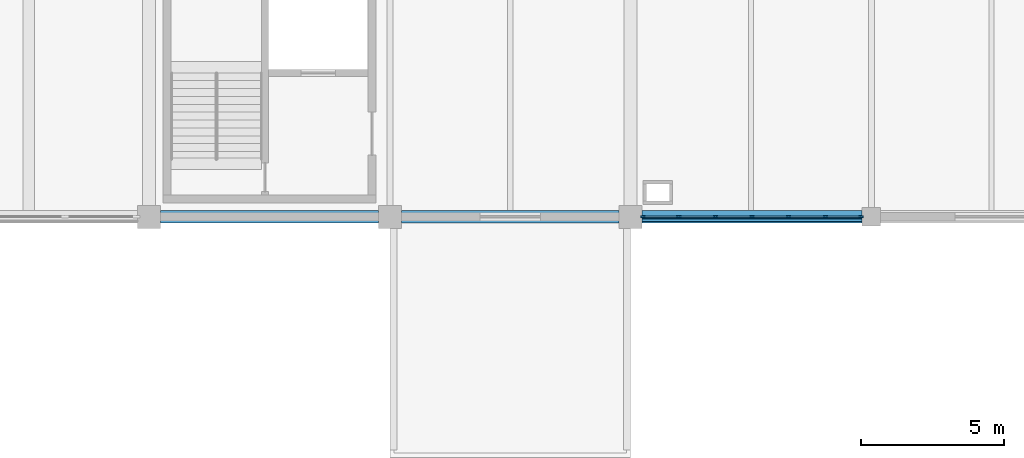
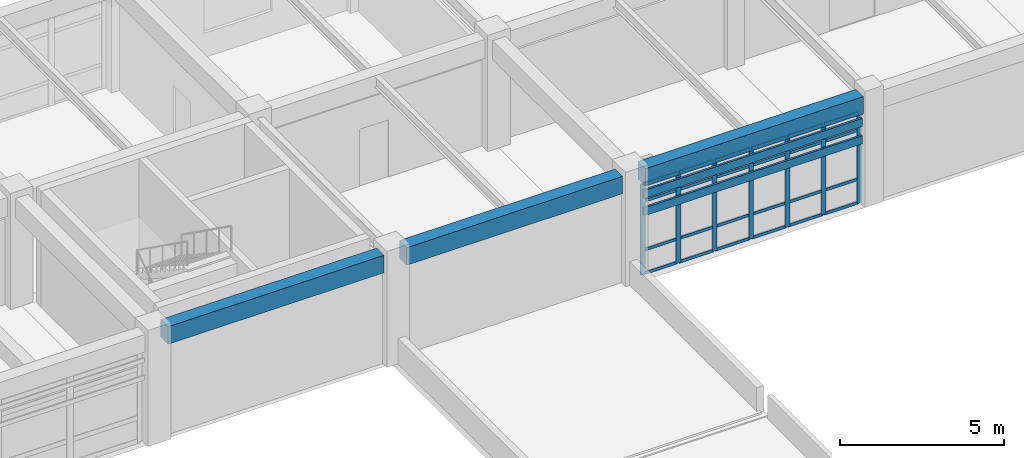
# One storey, part 36 of 74: 33 members, 3 beams, 1 element without a shape of its own.
"""IFC4 building model written with IfcOpenShell, lengths in metres."""

from ifc_helpers import new_model, si_unit, direction, frame, origin, origin_2d, place, context, subcontext, project, spatial, rectangle, extrude, material, layer, layer_set, material_profile, profile_set, type_object, element, aggregate, save


model = new_model("IFC4")

# Units and contexts
model_context = context("Model", 3, precision=1e-05, world=origin(), true_north=direction((0.0, 1.0)))
body_context = subcontext(model_context, "Body", "Model", "MODEL_VIEW")
ifc_project = project(units=[si_unit("LENGTHUNIT", "METRE"), si_unit("AREAUNIT", "SQUARE_METRE"), si_unit("VOLUMEUNIT", "CUBIC_METRE"), si_unit("PLANEANGLEUNIT", "RADIAN"), si_unit("MASSUNIT", "GRAM", prefix="KILO")], contexts=[model_context])

# Site, building, storey
site_placement = place(None, origin())
site = spatial("IfcSite", under=ifc_project, at=site_placement, CompositionType="ELEMENT")
building_placement = place(site_placement, origin())
building = spatial("IfcBuilding", under=site, at=building_placement, Name="Porcellanite Civic Hall", CompositionType="ELEMENT")
storey_placement = place(building_placement, frame((0.0, 0.0, 14.760009765625)))
storey = spatial("IfcBuildingStorey", under=building, at=storey_placement, Name="L03", CompositionType="ELEMENT", Elevation=14.760009765625)

# Beams
ifc_material_1 = material(Name="Concrete N50 (50 MPa)", Category="concrete")
ifc_material_profile_1 = material_profile(ifc_material_1, rectangle(XDim=0.449951171875, YDim=0.64990234375, at=origin_2d()), Name="RC-450x650")
ifc_profile_set_1 = profile_set([ifc_material_profile_1], Name="Concrete N50 (50 MPa)")
beam_type = type_object("IfcBeamType", Name="BM-RC650", PredefinedType="SPANDREL", material=ifc_profile_set_1)
beam_1_placement = place(storey_placement, frame((109.599609375, 100.800048828125, 3.744873046875), z_axis=(1.0, 0.0, 0.0), x_axis=(0.0, 1.0, 0.0)))
element("IfcBeam", 1, at=beam_1_placement, inside=storey, type_object=beam_type, Name="Beam X L03 14-13", PredefinedType="SPANDREL", context=body_context, shape_type="SweptSolid", body=[
    extrude(rectangle(XDim=0.449951171875, YDim=0.64990234375, at=origin_2d()), origin(), (0.0, 0.0, 1.0), 7.600830078125),
])
beam_2_placement = place(storey_placement, frame((117.99951171875, 100.800048828125, 3.744873046875), z_axis=(1.0, 0.0, 0.0), x_axis=(0.0, 1.0, 0.0)))
element("IfcBeam", 2, at=beam_2_placement, inside=storey, type_object=beam_type, Name="Beam X L03 15-13", PredefinedType="SPANDREL", context=body_context, shape_type="SweptSolid", body=[
    extrude(rectangle(XDim=0.449951171875, YDim=0.64990234375, at=origin_2d()), origin(), (0.0, 0.0, 1.0), 7.60107421875),
])
beam_3_placement = place(storey_placement, frame((126.3994140625, 100.800048828125, 3.744873046875), z_axis=(1.0, 0.0, 0.0), x_axis=(0.0, 1.0, 0.0)))
element("IfcBeam", 3, at=beam_3_placement, inside=storey, type_object=beam_type, Name="Beam X L03 16-13", PredefinedType="SPANDREL", context=body_context, shape_type="SweptSolid", body=[
    extrude(rectangle(XDim=0.449951171875, YDim=0.64990234375, at=origin_2d()), origin(), (0.0, 0.0, 1.0), 7.676025390625),
])

# Curtain wall, members
ifc_material_2 = material(Name="Anodised aluminium and solar laminated glass", Category="aluminium")
ifc_layer = layer(ifc_material_2, 0.179931640625)
ifc_layer_set = layer_set([ifc_layer], Name="Anodised aluminium and solar laminated glass")
curtain_wall_type = type_object("IfcCurtainWallType", Name="CW-SYS07", PredefinedType="NOTDEFINED", material=ifc_layer_set)
curtain_wall_placement = place(storey_placement, origin())
curtain_wall = element("IfcCurtainWall", 4, at=curtain_wall_placement, inside=storey, type_object=curtain_wall_type, Name="Curtain wall CW-219", PredefinedType="NOTDEFINED")
ifc_material_3 = material(Name="Anodised aluminium 6063-T6", Category="aluminium")
ifc_material_profile_2 = material_profile(ifc_material_3, rectangle(XDim=0.06005859375, YDim=0.159912109375, at=origin_2d()), Name="AL-60x160")
ifc_profile_set_2 = profile_set([ifc_material_profile_2], Name="Anodised aluminium 6063-T6")
member_type_1 = type_object("IfcMemberType", Name="CWM-07", PredefinedType="MULLION", material=ifc_profile_set_2)
member_1_placement = place(storey_placement, frame((134.0439453125, 100.800048828125, 0.0), z_axis=(0.0, 0.0, 1.0), x_axis=(0.0, -1.0, 0.0)))
member_1 = element("IfcMember", 5, at=member_1_placement, type_object=member_type_1, Name="CW-219 mullion 1", PredefinedType="MULLION", context=body_context, shape_type="SweptSolid", body=[
    extrude(rectangle(XDim=0.06005859375, YDim=0.159912109375, at=origin_2d()), origin(), (0.0, 0.0, 1.0), 3.369873046875),
])
member_2_placement = place(storey_placement, frame((132.795166015625, 100.800048828125, 0.0), z_axis=(0.0, 0.0, 1.0), x_axis=(0.0, -1.0, 0.0)))
member_2 = element("IfcMember", 6, at=member_2_placement, type_object=member_type_1, Name="CW-219 mullion 2", PredefinedType="MULLION", context=body_context, shape_type="SweptSolid", body=[
    extrude(rectangle(XDim=0.06005859375, YDim=0.159912109375, at=origin_2d()), origin(), (0.0, 0.0, 1.0), 3.369873046875),
])
member_3_placement = place(storey_placement, frame((131.516357421875, 100.800048828125, 0.0), z_axis=(0.0, 0.0, 1.0), x_axis=(0.0, -1.0, 0.0)))
member_3 = element("IfcMember", 7, at=member_3_placement, type_object=member_type_1, Name="CW-219 mullion 3", PredefinedType="MULLION", context=body_context, shape_type="SweptSolid", body=[
    extrude(rectangle(XDim=0.06005859375, YDim=0.159912109375, at=origin_2d()), origin(), (0.0, 0.0, 1.0), 3.369873046875),
])
member_4_placement = place(storey_placement, frame((130.237548828125, 100.800048828125, 0.0), z_axis=(0.0, 0.0, 1.0), x_axis=(0.0, -1.0, 0.0)))
member_4 = element("IfcMember", 8, at=member_4_placement, type_object=member_type_1, Name="CW-219 mullion 4", PredefinedType="MULLION", context=body_context, shape_type="SweptSolid", body=[
    extrude(rectangle(XDim=0.06005859375, YDim=0.159912109375, at=origin_2d()), origin(), (0.0, 0.0, 1.0), 3.369873046875),
])
member_5_placement = place(storey_placement, frame((128.958740234375, 100.800048828125, 0.0), z_axis=(0.0, 0.0, 1.0), x_axis=(0.0, -1.0, 0.0)))
member_5 = element("IfcMember", 9, at=member_5_placement, type_object=member_type_1, Name="CW-219 mullion 5", PredefinedType="MULLION", context=body_context, shape_type="SweptSolid", body=[
    extrude(rectangle(XDim=0.06005859375, YDim=0.159912109375, at=origin_2d()), origin(), (0.0, 0.0, 1.0), 3.369873046875),
])
member_6_placement = place(storey_placement, frame((127.679931640625, 100.800048828125, 0.0), z_axis=(0.0, 0.0, 1.0), x_axis=(0.0, -1.0, 0.0)))
member_6 = element("IfcMember", 10, at=member_6_placement, type_object=member_type_1, Name="CW-219 mullion 6", PredefinedType="MULLION", context=body_context, shape_type="SweptSolid", body=[
    extrude(rectangle(XDim=0.06005859375, YDim=0.159912109375, at=origin_2d()), origin(), (0.0, 0.0, 1.0), 3.369873046875),
])
member_7_placement = place(storey_placement, frame((126.430908203125, 100.800048828125, 0.0), z_axis=(0.0, 0.0, 1.0), x_axis=(0.0, -1.0, 0.0)))
member_7 = element("IfcMember", 11, at=member_7_placement, type_object=member_type_1, Name="CW-219 mullion 7", PredefinedType="MULLION", context=body_context, shape_type="SweptSolid", body=[
    extrude(rectangle(XDim=0.06005859375, YDim=0.159912109375, at=origin_2d()), origin(), (0.0, 0.0, 1.0), 3.369873046875),
])
ifc_material_4 = material(Name="Anodised aluminium 6063-T6", Category="aluminium")
ifc_material_profile_3 = material_profile(ifc_material_4, rectangle(XDim=0.050048828125, YDim=0.110107421875, at=origin_2d()), Name="AL-50x110")
ifc_profile_set_3 = profile_set([ifc_material_profile_3], Name="Anodised aluminium 6063-T6")
member_type_2 = type_object("IfcMemberType", Name="CWT-07", PredefinedType="USERDEFINED", material=ifc_profile_set_3)
member_8_placement = place(storey_placement, frame((134.013916015625, 100.800048828125, 0.02490234375), z_axis=(-1.0, 0.0, 0.0), x_axis=(0.0, -1.0, 0.0)))
member_8 = element("IfcMember", 12, at=member_8_placement, type_object=member_type_2, Name="CW-219 transom 1.1", ObjectType="TRANSOM", PredefinedType="USERDEFINED", context=body_context, shape_type="SweptSolid", body=[
    extrude(rectangle(XDim=0.050048828125, YDim=0.110107421875, at=origin_2d()), origin(), (0.0, 0.0, 1.0), 1.188720703125),
])
member_9_placement = place(storey_placement, frame((134.013916015625, 100.800048828125, 0.89990234375), z_axis=(-1.0, 0.0, 0.0), x_axis=(0.0, -1.0, 0.0)))
member_9 = element("IfcMember", 13, at=member_9_placement, type_object=member_type_2, Name="CW-219 transom 1.2", ObjectType="TRANSOM", PredefinedType="USERDEFINED", context=body_context, shape_type="SweptSolid", body=[
    extrude(rectangle(XDim=0.050048828125, YDim=0.110107421875, at=origin_2d()), origin(), (0.0, 0.0, 1.0), 1.188720703125),
])
member_10_placement = place(storey_placement, frame((134.013916015625, 100.800048828125, 2.719970703125), z_axis=(-1.0, 0.0, 0.0), x_axis=(0.0, -1.0, 0.0)))
member_10 = element("IfcMember", 14, at=member_10_placement, type_object=member_type_2, Name="CW-219 transom 1.3", ObjectType="TRANSOM", PredefinedType="USERDEFINED", context=body_context, shape_type="SweptSolid", body=[
    extrude(rectangle(XDim=0.050048828125, YDim=0.110107421875, at=origin_2d()), origin(), (0.0, 0.0, 1.0), 1.188720703125),
])
member_11_placement = place(storey_placement, frame((134.013916015625, 100.800048828125, 3.344970703125), z_axis=(-1.0, 0.0, 0.0), x_axis=(0.0, -1.0, 0.0)))
member_11 = element("IfcMember", 15, at=member_11_placement, type_object=member_type_2, Name="CW-219 transom 1.4", ObjectType="TRANSOM", PredefinedType="USERDEFINED", context=body_context, shape_type="SweptSolid", body=[
    extrude(rectangle(XDim=0.050048828125, YDim=0.110107421875, at=origin_2d()), origin(), (0.0, 0.0, 1.0), 1.188720703125),
])
member_12_placement = place(storey_placement, frame((132.76513671875, 100.800048828125, 0.02490234375), z_axis=(-1.0, 0.0, 0.0), x_axis=(0.0, -1.0, 0.0)))
member_12 = element("IfcMember", 16, at=member_12_placement, type_object=member_type_2, Name="CW-219 transom 2.1", ObjectType="TRANSOM", PredefinedType="USERDEFINED", context=body_context, shape_type="SweptSolid", body=[
    extrude(rectangle(XDim=0.050048828125, YDim=0.110107421875, at=origin_2d()), origin(), (0.0, 0.0, 1.0), 1.21875),
])
member_13_placement = place(storey_placement, frame((132.76513671875, 100.800048828125, 0.89990234375), z_axis=(-1.0, 0.0, 0.0), x_axis=(0.0, -1.0, 0.0)))
member_13 = element("IfcMember", 17, at=member_13_placement, type_object=member_type_2, Name="CW-219 transom 2.2", ObjectType="TRANSOM", PredefinedType="USERDEFINED", context=body_context, shape_type="SweptSolid", body=[
    extrude(rectangle(XDim=0.050048828125, YDim=0.110107421875, at=origin_2d()), origin(), (0.0, 0.0, 1.0), 1.21875),
])
member_14_placement = place(storey_placement, frame((132.76513671875, 100.800048828125, 2.719970703125), z_axis=(-1.0, 0.0, 0.0), x_axis=(0.0, -1.0, 0.0)))
member_14 = element("IfcMember", 18, at=member_14_placement, type_object=member_type_2, Name="CW-219 transom 2.3", ObjectType="TRANSOM", PredefinedType="USERDEFINED", context=body_context, shape_type="SweptSolid", body=[
    extrude(rectangle(XDim=0.050048828125, YDim=0.110107421875, at=origin_2d()), origin(), (0.0, 0.0, 1.0), 1.21875),
])
member_15_placement = place(storey_placement, frame((132.76513671875, 100.800048828125, 3.344970703125), z_axis=(-1.0, 0.0, 0.0), x_axis=(0.0, -1.0, 0.0)))
member_15 = element("IfcMember", 19, at=member_15_placement, type_object=member_type_2, Name="CW-219 transom 2.4", ObjectType="TRANSOM", PredefinedType="USERDEFINED", context=body_context, shape_type="SweptSolid", body=[
    extrude(rectangle(XDim=0.050048828125, YDim=0.110107421875, at=origin_2d()), origin(), (0.0, 0.0, 1.0), 1.21875),
])
member_16_placement = place(storey_placement, frame((131.486328125, 100.800048828125, 0.02490234375), z_axis=(-1.0, 0.0, 0.0), x_axis=(0.0, -1.0, 0.0)))
member_16 = element("IfcMember", 20, at=member_16_placement, type_object=member_type_2, Name="CW-219 transom 3.1", ObjectType="TRANSOM", PredefinedType="USERDEFINED", context=body_context, shape_type="SweptSolid", body=[
    extrude(rectangle(XDim=0.050048828125, YDim=0.110107421875, at=origin_2d()), origin(), (0.0, 0.0, 1.0), 1.21875),
])
member_17_placement = place(storey_placement, frame((131.486328125, 100.800048828125, 0.89990234375), z_axis=(-1.0, 0.0, 0.0), x_axis=(0.0, -1.0, 0.0)))
member_17 = element("IfcMember", 21, at=member_17_placement, type_object=member_type_2, Name="CW-219 transom 3.2", ObjectType="TRANSOM", PredefinedType="USERDEFINED", context=body_context, shape_type="SweptSolid", body=[
    extrude(rectangle(XDim=0.050048828125, YDim=0.110107421875, at=origin_2d()), origin(), (0.0, 0.0, 1.0), 1.21875),
])
member_18_placement = place(storey_placement, frame((131.486328125, 100.800048828125, 2.719970703125), z_axis=(-1.0, 0.0, 0.0), x_axis=(0.0, -1.0, 0.0)))
member_18 = element("IfcMember", 22, at=member_18_placement, type_object=member_type_2, Name="CW-219 transom 3.3", ObjectType="TRANSOM", PredefinedType="USERDEFINED", context=body_context, shape_type="SweptSolid", body=[
    extrude(rectangle(XDim=0.050048828125, YDim=0.110107421875, at=origin_2d()), origin(), (0.0, 0.0, 1.0), 1.21875),
])
member_19_placement = place(storey_placement, frame((131.486328125, 100.800048828125, 3.344970703125), z_axis=(-1.0, 0.0, 0.0), x_axis=(0.0, -1.0, 0.0)))
member_19 = element("IfcMember", 23, at=member_19_placement, type_object=member_type_2, Name="CW-219 transom 3.4", ObjectType="TRANSOM", PredefinedType="USERDEFINED", context=body_context, shape_type="SweptSolid", body=[
    extrude(rectangle(XDim=0.050048828125, YDim=0.110107421875, at=origin_2d()), origin(), (0.0, 0.0, 1.0), 1.21875),
])
member_20_placement = place(storey_placement, frame((130.20751953125, 100.800048828125, 0.02490234375), z_axis=(-1.0, 0.0, 0.0), x_axis=(0.0, -1.0, 0.0)))
member_20 = element("IfcMember", 24, at=member_20_placement, type_object=member_type_2, Name="CW-219 transom 4.1", ObjectType="TRANSOM", PredefinedType="USERDEFINED", context=body_context, shape_type="SweptSolid", body=[
    extrude(rectangle(XDim=0.050048828125, YDim=0.110107421875, at=origin_2d()), origin(), (0.0, 0.0, 1.0), 1.21875),
])
member_21_placement = place(storey_placement, frame((130.20751953125, 100.800048828125, 0.89990234375), z_axis=(-1.0, 0.0, 0.0), x_axis=(0.0, -1.0, 0.0)))
member_21 = element("IfcMember", 25, at=member_21_placement, type_object=member_type_2, Name="CW-219 transom 4.2", ObjectType="TRANSOM", PredefinedType="USERDEFINED", context=body_context, shape_type="SweptSolid", body=[
    extrude(rectangle(XDim=0.050048828125, YDim=0.110107421875, at=origin_2d()), origin(), (0.0, 0.0, 1.0), 1.21875),
])
member_22_placement = place(storey_placement, frame((130.20751953125, 100.800048828125, 2.719970703125), z_axis=(-1.0, 0.0, 0.0), x_axis=(0.0, -1.0, 0.0)))
member_22 = element("IfcMember", 26, at=member_22_placement, type_object=member_type_2, Name="CW-219 transom 4.3", ObjectType="TRANSOM", PredefinedType="USERDEFINED", context=body_context, shape_type="SweptSolid", body=[
    extrude(rectangle(XDim=0.050048828125, YDim=0.110107421875, at=origin_2d()), origin(), (0.0, 0.0, 1.0), 1.21875),
])
member_23_placement = place(storey_placement, frame((130.20751953125, 100.800048828125, 3.344970703125), z_axis=(-1.0, 0.0, 0.0), x_axis=(0.0, -1.0, 0.0)))
member_23 = element("IfcMember", 27, at=member_23_placement, type_object=member_type_2, Name="CW-219 transom 4.4", ObjectType="TRANSOM", PredefinedType="USERDEFINED", context=body_context, shape_type="SweptSolid", body=[
    extrude(rectangle(XDim=0.050048828125, YDim=0.110107421875, at=origin_2d()), origin(), (0.0, 0.0, 1.0), 1.21875),
])
member_24_placement = place(storey_placement, frame((128.9287109375, 100.800048828125, 0.02490234375), z_axis=(-1.0, 0.0, 0.0), x_axis=(0.0, -1.0, 0.0)))
member_24 = element("IfcMember", 28, at=member_24_placement, type_object=member_type_2, Name="CW-219 transom 5.1", ObjectType="TRANSOM", PredefinedType="USERDEFINED", context=body_context, shape_type="SweptSolid", body=[
    extrude(rectangle(XDim=0.050048828125, YDim=0.110107421875, at=origin_2d()), origin(), (0.0, 0.0, 1.0), 1.218994140625),
])
member_25_placement = place(storey_placement, frame((128.9287109375, 100.800048828125, 0.89990234375), z_axis=(-1.0, 0.0, 0.0), x_axis=(0.0, -1.0, 0.0)))
member_25 = element("IfcMember", 29, at=member_25_placement, type_object=member_type_2, Name="CW-219 transom 5.2", ObjectType="TRANSOM", PredefinedType="USERDEFINED", context=body_context, shape_type="SweptSolid", body=[
    extrude(rectangle(XDim=0.050048828125, YDim=0.110107421875, at=origin_2d()), origin(), (0.0, 0.0, 1.0), 1.218994140625),
])
member_26_placement = place(storey_placement, frame((128.9287109375, 100.800048828125, 2.719970703125), z_axis=(-1.0, 0.0, 0.0), x_axis=(0.0, -1.0, 0.0)))
member_26 = element("IfcMember", 30, at=member_26_placement, type_object=member_type_2, Name="CW-219 transom 5.3", ObjectType="TRANSOM", PredefinedType="USERDEFINED", context=body_context, shape_type="SweptSolid", body=[
    extrude(rectangle(XDim=0.050048828125, YDim=0.110107421875, at=origin_2d()), origin(), (0.0, 0.0, 1.0), 1.218994140625),
])
member_27_placement = place(storey_placement, frame((128.9287109375, 100.800048828125, 3.344970703125), z_axis=(-1.0, 0.0, 0.0), x_axis=(0.0, -1.0, 0.0)))
member_27 = element("IfcMember", 31, at=member_27_placement, type_object=member_type_2, Name="CW-219 transom 5.4", ObjectType="TRANSOM", PredefinedType="USERDEFINED", context=body_context, shape_type="SweptSolid", body=[
    extrude(rectangle(XDim=0.050048828125, YDim=0.110107421875, at=origin_2d()), origin(), (0.0, 0.0, 1.0), 1.218994140625),
])
member_28_placement = place(storey_placement, frame((127.64990234375, 100.800048828125, 0.02490234375), z_axis=(-1.0, 0.0, 0.0), x_axis=(0.0, -1.0, 0.0)))
member_28 = element("IfcMember", 32, at=member_28_placement, type_object=member_type_2, Name="CW-219 transom 6.1", ObjectType="TRANSOM", PredefinedType="USERDEFINED", context=body_context, shape_type="SweptSolid", body=[
    extrude(rectangle(XDim=0.050048828125, YDim=0.110107421875, at=origin_2d()), origin(), (0.0, 0.0, 1.0), 1.18896484375),
])
member_29_placement = place(storey_placement, frame((127.64990234375, 100.800048828125, 0.89990234375), z_axis=(-1.0, 0.0, 0.0), x_axis=(0.0, -1.0, 0.0)))
member_29 = element("IfcMember", 33, at=member_29_placement, type_object=member_type_2, Name="CW-219 transom 6.2", ObjectType="TRANSOM", PredefinedType="USERDEFINED", context=body_context, shape_type="SweptSolid", body=[
    extrude(rectangle(XDim=0.050048828125, YDim=0.110107421875, at=origin_2d()), origin(), (0.0, 0.0, 1.0), 1.18896484375),
])
member_30_placement = place(storey_placement, frame((127.64990234375, 100.800048828125, 2.719970703125), z_axis=(-1.0, 0.0, 0.0), x_axis=(0.0, -1.0, 0.0)))
member_30 = element("IfcMember", 34, at=member_30_placement, type_object=member_type_2, Name="CW-219 transom 6.3", ObjectType="TRANSOM", PredefinedType="USERDEFINED", context=body_context, shape_type="SweptSolid", body=[
    extrude(rectangle(XDim=0.050048828125, YDim=0.110107421875, at=origin_2d()), origin(), (0.0, 0.0, 1.0), 1.18896484375),
])
member_31_placement = place(storey_placement, frame((127.64990234375, 100.800048828125, 3.344970703125), z_axis=(-1.0, 0.0, 0.0), x_axis=(0.0, -1.0, 0.0)))
member_31 = element("IfcMember", 35, at=member_31_placement, type_object=member_type_2, Name="CW-219 transom 6.4", ObjectType="TRANSOM", PredefinedType="USERDEFINED", context=body_context, shape_type="SweptSolid", body=[
    extrude(rectangle(XDim=0.050048828125, YDim=0.110107421875, at=origin_2d()), origin(), (0.0, 0.0, 1.0), 1.18896484375),
])
aggregate(curtain_wall, [member_1, member_2, member_3, member_4, member_5, member_6, member_7, member_8, member_9, member_10, member_11, member_12, member_13, member_14, member_15, member_16, member_17, member_18, member_19, member_20, member_21, member_22, member_23, member_24, member_25, member_26, member_27, member_28, member_29, member_30, member_31])

# Members
ifc_material_5 = material(Name="Fluoropolymer bauxite-red aluminium 6063-T6", Category="aluminium")
ifc_material_profile_4 = material_profile(ifc_material_5, rectangle(XDim=0.074951171875, YDim=0.300048828125, at=origin_2d()), Name="AL-75x300")
ifc_profile_set_4 = profile_set([ifc_material_profile_4], Name="Fluoropolymer bauxite-red aluminium 6063-T6")
member_type_3 = type_object("IfcMemberType", Name="LV-BLD04", PredefinedType="USERDEFINED", material=ifc_profile_set_4)
for number, where, z_axis, x_axis, name in (
    (36, (134.075439453125, 100.680419921875, 3.070068359375), (-1.0, 0.0, 0.0), (0.0, -1.0, 0.0), "Cyclone sunshade louvre L03 S 15-12 1"),
    (37, (134.075439453125, 100.680419921875, 2.419921875), (-1.0, 0.0, 0.0), (0.0, -1.0, 0.0), "Cyclone sunshade louvre L03 S 15-12 2"),
):
    element("IfcMember", number, at=place(storey_placement, frame(where, z_axis=z_axis, x_axis=x_axis)), inside=storey, type_object=member_type_3, Name=name, ObjectType="LOUVRE BLADE", PredefinedType="USERDEFINED", context=body_context, shape_type="SweptSolid", body=[
        extrude(rectangle(XDim=0.074951171875, YDim=0.300048828125, at=origin_2d()), origin(), (0.0, 0.0, 1.0), 7.676025390625),
    ])

save(model, "model.ifc")
